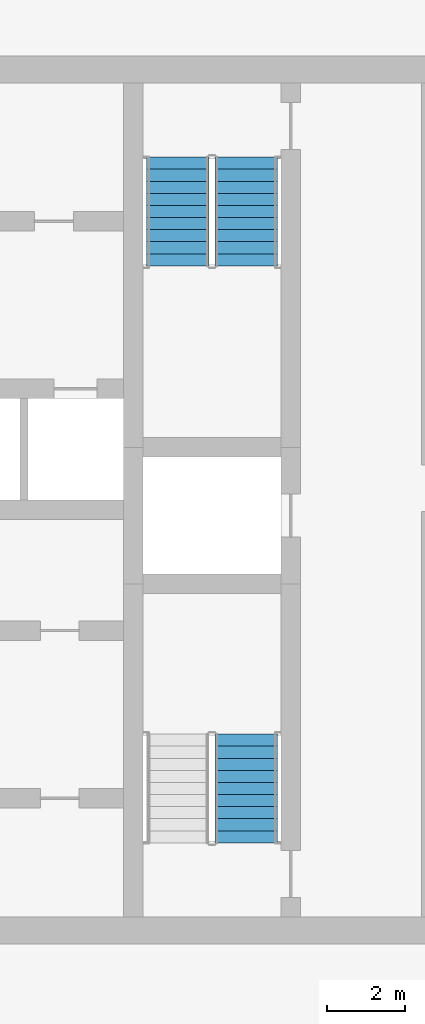
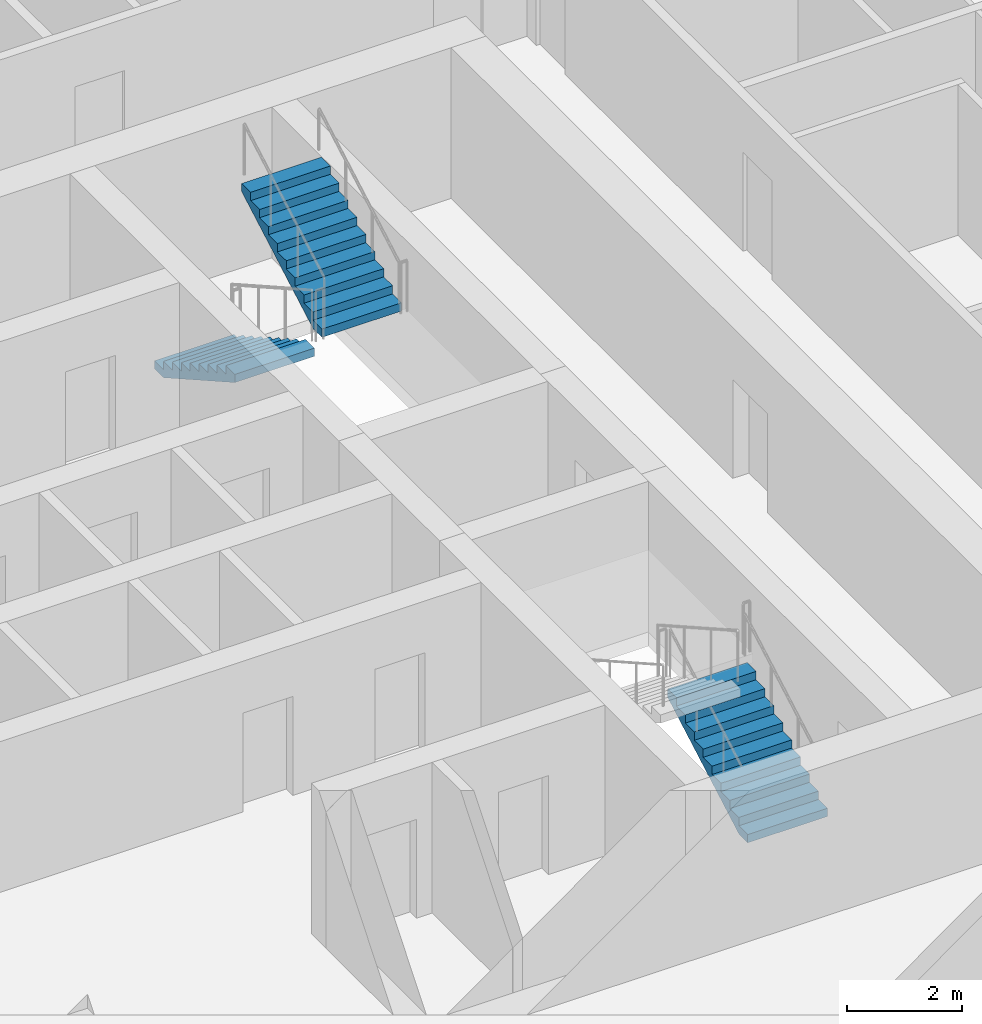
# One storey, part 16 of 23: 3 stair flights, 2 elements without a shape of their own.
"""IFC4 building model written with IfcOpenShell, lengths in metres."""

import ifcopenshell
import ifcopenshell.guid

model = None  # the IFC model being written
_history = None  # IfcOwnerHistory: only IFC2X3 demands one
_inside = {}  # id of a spatial element -> (the spatial element, [elements in it])
_under = {}  # id of a project, library or spatial element -> (it, [spatial elements below it])
_declared = {}  # id of a project -> (the project, [libraries it declares])
_typed = {}  # id of a type object -> (the type object, [elements of that type])
_made_of = {}  # id of a material, layer set ... -> (it, [elements and type objects made of it])


def new_model(schema):
    """Start an empty IFC model of exactly this schema.

    Asked for "IFC4X3", IfcOpenShell would pick the latest addendum, in which some entities
    have other attributes; the version numbers below select the first issue.
    IFC2X3 requires an IfcOwnerHistory on every rooted entity: one is made here for all.
    """
    global model, _history
    if schema == "IFC4X3":
        model = ifcopenshell.file(schema_version=(4, 3, 0, 0))
    else:
        model = ifcopenshell.file(schema=schema)
    _inside.clear()
    _under.clear()
    _declared.clear()
    _typed.clear()
    _made_of.clear()
    _history = None
    if model.schema == "IFC2X3":
        org = make("IfcOrganization", Name="unknown")
        user = make(
            "IfcPersonAndOrganization",
            ThePerson=make("IfcPerson", FamilyName="unknown"),
            TheOrganization=org,
        )
        app = make(
            "IfcApplication",
            ApplicationDeveloper=org,
            Version="unknown",
            ApplicationFullName="unknown",
            ApplicationIdentifier="unknown",
        )
        _history = make(
            "IfcOwnerHistory",
            OwningUser=user,
            OwningApplication=app,
            ChangeAction="ADDED",
            CreationDate=0,
        )
    return model


def make(cls, **values):
    """One entity of the class cls with the attributes given. An attribute that is None is left unset."""
    return model.create_entity(
        cls, **{name: value for name, value in values.items() if value is not None}
    )


def rooted(cls, **values):
    """An entity with a GlobalId (a new one), such as an element, a storey or a relation."""
    return make(cls, GlobalId=ifcopenshell.guid.new(), OwnerHistory=_history, **values)


def si_unit(unit_type, name, prefix=None):
    """IfcSIUnit, for example si_unit("LENGTHUNIT", "METRE", prefix="MILLI")."""
    return make("IfcSIUnit", UnitType=unit_type, Prefix=prefix, Name=name)


def assignment(units):
    """IfcUnitAssignment: the units of a project."""
    return None if units is None else make("IfcUnitAssignment", Units=units)


def point(xyz):
    """IfcCartesianPoint."""
    return None if xyz is None else make("IfcCartesianPoint", Coordinates=xyz)


def direction(xyz):
    """IfcDirection."""
    return None if xyz is None else make("IfcDirection", DirectionRatios=xyz)


def frame(location, z_axis=None, x_axis=None):
    """IfcAxis2Placement3D, a coordinate frame: its origin and axes. An axis left out is left unset."""
    return make(
        "IfcAxis2Placement3D",
        Location=point(location),
        Axis=direction(z_axis),
        RefDirection=direction(x_axis),
    )


def origin():
    """The frame at (0, 0, 0) with its axes left unset."""
    return frame((0.0, 0.0, 0.0))


def place(relative_to, where):
    """IfcLocalPlacement: puts the frame where relative to a parent placement (None: the world)."""
    return make(
        "IfcLocalPlacement", PlacementRelTo=relative_to, RelativePlacement=where
    )


def context(
    kind, dimensions, precision=None, world=None, true_north=None, identifier=None
):
    """IfcGeometricRepresentationContext, for example the 3D "Model" context."""
    return make(
        "IfcGeometricRepresentationContext",
        ContextIdentifier=identifier,
        ContextType=kind,
        CoordinateSpaceDimension=dimensions,
        Precision=precision,
        WorldCoordinateSystem=world,
        TrueNorth=true_north,
    )


def subcontext(parent, identifier, kind, view, scale=None):
    """IfcGeometricRepresentationSubContext, for example "Body" below "Model"."""
    return make(
        "IfcGeometricRepresentationSubContext",
        ContextIdentifier=identifier,
        ContextType=kind,
        ParentContext=parent,
        TargetScale=scale,
        TargetView=view,
    )


def project(units=None, contexts=None):
    """IfcProject with its units and contexts."""
    return rooted(
        "IfcProject",
        Name="project",
        RepresentationContexts=contexts,
        UnitsInContext=assignment(units),
    )


def spatial(cls, under=None, at=None, **own):
    """A site, building, storey or space (cls), placed at a placement, below another one or the project."""
    s = rooted(cls, ObjectPlacement=at, **own)
    if under is not None:
        _under.setdefault(under.id(), (under, []))[1].append(s)
    return s


def polyline(points):
    """IfcPolyline through the points."""
    return make("IfcPolyline", Points=[point(p) for p in points])


def outline(outer, holes=None, kind="AREA"):
    """IfcArbitraryClosedProfileDef: a profile drawn as a closed curve; with holes, ...WithVoids."""
    if holes is None:
        return make("IfcArbitraryClosedProfileDef", ProfileType=kind, OuterCurve=outer)
    return make(
        "IfcArbitraryProfileDefWithVoids",
        ProfileType=kind,
        OuterCurve=outer,
        InnerCurves=holes,
    )


def extrude(swept, where, along, depth):
    """IfcExtrudedAreaSolid: the profile swept, set in the frame where, extruded along a direction by depth."""
    return make(
        "IfcExtrudedAreaSolid",
        SweptArea=swept,
        Position=where,
        ExtrudedDirection=direction(along),
        Depth=depth,
    )


def shape(context_of_items, identifier, shape_type, items):
    """IfcShapeRepresentation: the items that make up one representation, for example the "Body"."""
    return make(
        "IfcShapeRepresentation",
        ContextOfItems=context_of_items,
        RepresentationIdentifier=identifier,
        RepresentationType=shape_type,
        Items=items,
    )


def material(Name=None, Category=None):
    """IfcMaterial."""
    return make("IfcMaterial", Name=Name, Category=Category)


def made_of(thing, what):
    """Note that an element or type object is made of a material, layer set ...; save() writes the relation."""
    if what is not None:
        _made_of.setdefault(what.id(), (what, []))[1].append(thing)
    return thing


def type_object(cls, material=None, **own):
    """A type object (cls), such as IfcWallType, which elements share."""
    return made_of(rooted(cls, **own), material)


def element(
    cls,
    number,
    at=None,
    inside=None,
    cuts=None,
    type_object=None,
    material=None,
    context=None,
    identifier="Body",
    shape_type=None,
    held_by="IfcProductDefinitionShape",
    body=None,
    shapes=None,
    **own,
):
    """One element of the class cls, such as IfcWall. Its Tag is "e" and its number.

    at: its placement. inside: the storey or other place that contains it. cuts: it is an
    opening in that element (IfcRelVoidsElement). A single representation is given by context,
    identifier, shape_type and body (its items); several are given by shapes. held_by: the class
    of the entity that holds the representations. save() writes the other relations.
    """
    e = rooted(cls, Tag="e%d" % number, ObjectPlacement=at, **own)
    if body is not None:
        shapes = [shape(context, identifier, shape_type, body)]
    if shapes is not None:
        e.Representation = make(held_by, Representations=shapes)
    if inside is not None:
        _inside.setdefault(inside.id(), (inside, []))[1].append(e)
    if cuts is not None:
        rooted(
            "IfcRelVoidsElement", RelatingBuildingElement=cuts, RelatedOpeningElement=e
        )
    if type_object is not None:
        _typed.setdefault(type_object.id(), (type_object, []))[1].append(e)
    return made_of(e, material)


def aggregate(whole, parts):
    """IfcRelAggregates: a whole, such as a stair, and the parts it consists of."""
    return rooted("IfcRelAggregates", RelatingObject=whole, RelatedObjects=parts)


def save(model, path):
    """Write the relations noted so far, then the file.

    IfcRelAggregates (storeys below a building ...), IfcRelContainedInSpatialStructure (elements
    in a storey), IfcRelDefinesByType, IfcRelAssociatesMaterial and IfcRelDeclares: one each for
    every whole, place, type object, material and project.
    """
    for whole, parts in _under.values():
        aggregate(whole, parts)
    for where, things in _inside.values():
        rooted(
            "IfcRelContainedInSpatialStructure",
            RelatedElements=things,
            RelatingStructure=where,
        )
    for kind, things in _typed.values():
        rooted("IfcRelDefinesByType", RelatedObjects=things, RelatingType=kind)
    for what, things in _made_of.values():
        rooted("IfcRelAssociatesMaterial", RelatedObjects=things, RelatingMaterial=what)
    for by, libraries in _declared.values():
        rooted("IfcRelDeclares", RelatingContext=by, RelatedDefinitions=libraries)
    model.write(path)


model = new_model("IFC4")

# Units and contexts
model_context = context("Model", 3, precision=1e-05, world=origin(), true_north=direction((0.0, 1.0)))
body_context = subcontext(model_context, "Body", "Model", "MODEL_VIEW")
ifc_project = project(units=[si_unit("LENGTHUNIT", "METRE"), si_unit("AREAUNIT", "SQUARE_METRE"), si_unit("VOLUMEUNIT", "CUBIC_METRE"), si_unit("PLANEANGLEUNIT", "RADIAN"), si_unit("MASSUNIT", "GRAM", prefix="KILO")], contexts=[model_context])

# Site, building, storey
site_placement = place(None, origin())
site = spatial("IfcSite", under=ifc_project, at=site_placement, CompositionType="ELEMENT")
building_placement = place(site_placement, origin())
building = spatial("IfcBuilding", under=site, at=building_placement, Name="Madar Terraces", CompositionType="ELEMENT")
storey_placement = place(building_placement, frame((0.0, 0.0, 212.300048828125)))
storey = spatial("IfcBuildingStorey", under=building, at=storey_placement, Name="L55", CompositionType="ELEMENT", Elevation=212.300048828125)

# Stair, stair flights
ifc_material_1 = material(Name="Concrete C50/60", Category="concrete")
stair_type_1 = type_object("IfcStairType", Name="Stair ST2 protected exit", PredefinedType="HALF_TURN_STAIR", material=ifc_material_1)
stair_1_placement = place(storey_placement, origin())
stair_1 = element("IfcStair", 1, at=stair_1_placement, inside=storey, type_object=stair_type_1, Name="L55 Protected Exit Stair ST2", PredefinedType="HALF_TURN_STAIR")
ifc_material_2 = material(Name="Concrete C50/60", Category="concrete")
stair_flight_type_1 = type_object("IfcStairFlightType", Name="Stair flight ST2-F4, 1600 wide, 10 risers", PredefinedType="STRAIGHT", material=ifc_material_2)
stair_flight_1_placement = place(storey_placement, frame((40.449951171875, 35.199951171875, 0.0), z_axis=(0.0, 0.0, 1.0), x_axis=(0.0, -1.0, 0.0)))
stair_flight_1 = element("IfcStairFlight", 2, at=stair_flight_1_placement, type_object=stair_flight_type_1, Name="ST2 flight 1", NumberOfRisers=10, NumberOfTreads=9, PredefinedType="STRAIGHT", RiserHeight=0.175, TreadLength=0.31, context=body_context, shape_type="SweptSolid", body=[
    extrude(outline(polyline([(0.0, 0.0), (0.0, 0.175048828125), (0.31005859375, 0.175048828125), (0.31005859375, 0.35009765625), (0.6201171875, 0.35009765625), (0.6201171875, 0.52490234375), (0.929931640625, 0.52490234375), (0.929931640625, 0.699951171875), (1.239990234375, 0.699951171875), (1.239990234375, 0.875), (1.550048828125, 0.875), (1.550048828125, 1.050048828125), (1.860107421875, 1.050048828125), (1.860107421875, 1.22509765625), (2.169921875, 1.22509765625), (2.169921875, 1.39990234375), (2.47998046875, 1.39990234375), (2.47998046875, 1.574951171875), (2.7900390625, 1.574951171875), (2.7900390625, 1.75), (2.7900390625, 1.40283203125), (0.304931640625, 0.0), (0.0, 0.0)])), frame((0.0, 0.800048828125, 0.0), z_axis=(0.0, -1.0, 0.0), x_axis=(1.0, 0.0, 0.0)), (0.0, 0.0, 1.0), 1.60009765625),
])
stair_flight_2_placement = place(storey_placement, frame((42.199951171875, 32.409912109375, 1.75), z_axis=(0.0, 0.0, 1.0), x_axis=(0.0, 1.0, 0.0)))
stair_flight_2 = element("IfcStairFlight", 3, at=stair_flight_2_placement, type_object=stair_flight_type_1, Name="ST2 flight 2", NumberOfRisers=10, NumberOfTreads=9, PredefinedType="STRAIGHT", RiserHeight=0.175, TreadLength=0.31, context=body_context, shape_type="SweptSolid", body=[
    extrude(outline(polyline([(0.0, 0.0), (0.0, 0.175048828125), (0.31005859375, 0.175048828125), (0.31005859375, 0.35009765625), (0.6201171875, 0.35009765625), (0.6201171875, 0.52490234375), (0.929931640625, 0.52490234375), (0.929931640625, 0.699951171875), (1.239990234375, 0.699951171875), (1.239990234375, 0.875), (1.550048828125, 0.875), (1.550048828125, 1.050048828125), (1.860107421875, 1.050048828125), (1.860107421875, 1.22509765625), (2.169921875, 1.22509765625), (2.169921875, 1.39990234375), (2.47998046875, 1.39990234375), (2.47998046875, 1.574951171875), (2.7900390625, 1.574951171875), (2.7900390625, 1.75), (2.7900390625, 1.40283203125), (0.304931640625, 0.0), (0.0, 0.0)])), frame((0.0, 0.800048828125, 0.0), z_axis=(0.0, -1.0, 0.0), x_axis=(1.0, 0.0, 0.0)), (0.0, 0.0, 1.0), 1.60009765625),
])
aggregate(stair_1, [stair_flight_1, stair_flight_2])

# Stair, stair flight
ifc_material_3 = material(Name="Concrete C50/60", Category="concrete")
stair_type_2 = type_object("IfcStairType", Name="Stair ST3 protected exit", PredefinedType="HALF_TURN_STAIR", material=ifc_material_3)
stair_2_placement = place(storey_placement, origin())
stair_2 = element("IfcStair", 4, at=stair_2_placement, inside=storey, type_object=stair_type_2, Name="L55 Protected Exit Stair ST3", PredefinedType="HALF_TURN_STAIR")
ifc_material_4 = material(Name="Concrete C50/60", Category="concrete")
stair_flight_type_2 = type_object("IfcStairFlightType", Name="Stair flight ST3-F4, 1600 wide, 10 risers", PredefinedType="STRAIGHT", material=ifc_material_4)
stair_flight_3_placement = place(storey_placement, frame((42.199951171875, 17.60009765625, 0.0), z_axis=(0.0, 0.0, 1.0), x_axis=(0.0, 1.0, 0.0)))
stair_flight_3 = element("IfcStairFlight", 5, at=stair_flight_3_placement, type_object=stair_flight_type_2, Name="ST3 flight 1", NumberOfRisers=10, NumberOfTreads=9, PredefinedType="STRAIGHT", RiserHeight=0.175, TreadLength=0.31, context=body_context, shape_type="SweptSolid", body=[
    extrude(outline(polyline([(0.0, 0.0), (0.0, 0.175048828125), (0.31005859375, 0.175048828125), (0.31005859375, 0.35009765625), (0.6201171875, 0.35009765625), (0.6201171875, 0.52490234375), (0.929931640625, 0.52490234375), (0.929931640625, 0.699951171875), (1.239990234375, 0.699951171875), (1.239990234375, 0.875), (1.550048828125, 0.875), (1.550048828125, 1.050048828125), (1.860107421875, 1.050048828125), (1.860107421875, 1.22509765625), (2.169921875, 1.22509765625), (2.169921875, 1.39990234375), (2.47998046875, 1.39990234375), (2.47998046875, 1.574951171875), (2.7900390625, 1.574951171875), (2.7900390625, 1.75), (2.7900390625, 1.40283203125), (0.304931640625, 0.0), (0.0, 0.0)])), frame((0.0, 0.800048828125, 0.0), z_axis=(0.0, -1.0, 0.0), x_axis=(1.0, 0.0, 0.0)), (0.0, 0.0, 1.0), 1.60009765625),
])
aggregate(stair_2, [stair_flight_3])

save(model, "model.ifc")
